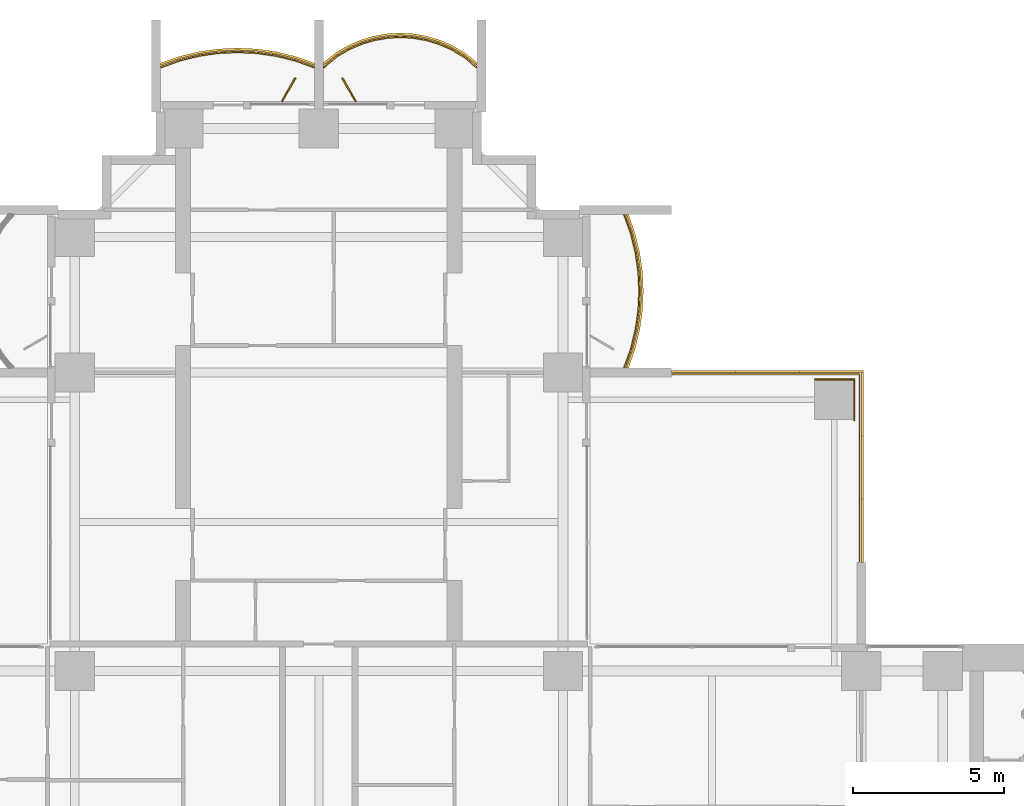
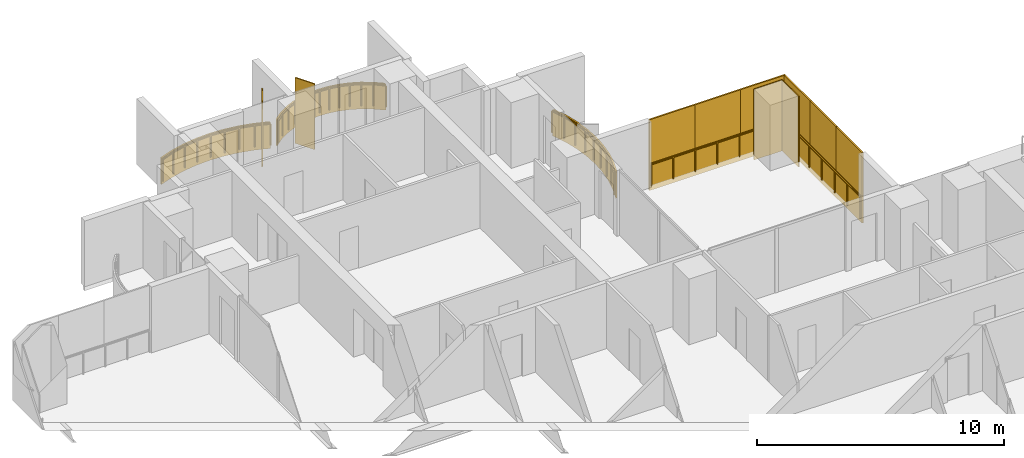
# One storey, part 20 of 20: 12 coverings, 4 railings, 2 shading devices.
"""IFC4 building model written with IfcOpenShell, lengths in metres."""

from ifc_helpers import new_model, si_unit, direction, frame, origin, origin_2d, place, context, subcontext, project, spatial, polyline, rectangle, outline, extrude, material, layer, layer_set, type_object, element, save


model = new_model("IFC4")

# Units and contexts
model_context = context("Model", 3, precision=1e-05, world=origin(), true_north=direction((0.0, 1.0)))
body_context = subcontext(model_context, "Body", "Model", "MODEL_VIEW")
ifc_project = project(units=[si_unit("LENGTHUNIT", "METRE"), si_unit("AREAUNIT", "SQUARE_METRE"), si_unit("VOLUMEUNIT", "CUBIC_METRE"), si_unit("PLANEANGLEUNIT", "RADIAN"), si_unit("MASSUNIT", "GRAM", prefix="KILO")], contexts=[model_context])

# Site, building, storey
site_placement = place(None, origin())
site = spatial("IfcSite", under=ifc_project, at=site_placement, CompositionType="ELEMENT")
building_placement = place(site_placement, origin())
building = spatial("IfcBuilding", under=site, at=building_placement, Name="Perihelion Cross Residences", CompositionType="ELEMENT")
storey_placement = place(building_placement, frame((0.0, 0.0, 68.0)))
storey = spatial("IfcBuildingStorey", under=building, at=storey_placement, Name="L14", CompositionType="ELEMENT", Elevation=68.0)

# Coverings
ifc_material_1 = material(Name="Bronze anodised aluminium", Category="aluminium")
ifc_layer_1 = layer(ifc_material_1, 0.070068359375)
ifc_layer_set_1 = layer_set([ifc_layer_1], Name="Balcony fascia 1300")
covering_type_1 = type_object("IfcCoveringType", Name="Balcony fascia 1300", PredefinedType="CLADDING", material=ifc_layer_set_1)
covering_1_placement = place(storey_placement, frame((0.0, 0.0, -0.199951171875)))
element("IfcCovering", 1, at=covering_1_placement, inside=storey, type_object=covering_type_1, Name="Fascia BF1 L14 north side east bay 2", PredefinedType="CLADDING", context=body_context, shape_type="SweptSolid", body=[
    extrude(outline(polyline([(10.49072265625, 18.767578125), (10.647216796875, 19.411865234375), (10.739501953125, 20.055908203125), (10.77001953125, 20.699951171875), (10.739501953125, 21.34423828125), (10.647216796875, 21.98828125), (10.49072265625, 22.63232421875), (10.274169921875, 23.25), (10.199951171875, 23.25), (10.423583984375, 22.612548828125), (10.57861328125, 21.97509765625), (10.669921875, 21.33740234375), (10.699951171875, 20.699951171875), (10.669921875, 20.0625), (10.57861328125, 19.425048828125), (10.423583984375, 18.78759765625), (10.199951171875, 18.14990234375), (10.274169921875, 18.14990234375), (10.49072265625, 18.767578125)])), origin(), (0.0, 0.0, 1.0), 1.300048828125),
])
covering_2_placement = place(storey_placement, frame((0.0, 0.0, -0.199951171875)))
element("IfcCovering", 2, at=covering_2_placement, inside=storey, type_object=covering_type_1, Name="Fascia BF1 L14 north tip north bay 1", PredefinedType="CLADDING", context=body_context, shape_type="SweptSolid", body=[
    extrude(outline(polyline([(4.86474609375, 28.59765625), (4.431884765625, 28.85498046875), (3.998779296875, 29.04248046875), (3.56591796875, 29.170654296875), (3.133056640625, 29.245361328125), (2.699951171875, 29.27001953125), (2.26708984375, 29.245361328125), (1.833984375, 29.170654296875), (1.401123046875, 29.04248046875), (0.96826171875, 28.85498046875), (0.53515625, 28.59765625), (0.14990234375, 28.28955078125), (0.14990234375, 28.199951171875), (0.574951171875, 28.5400390625), (1.0, 28.792724609375), (1.425048828125, 28.9765625), (1.85009765625, 29.1025390625), (2.27490234375, 29.17578125), (2.699951171875, 29.199951171875), (3.125, 29.17578125), (3.550048828125, 29.1025390625), (3.97509765625, 28.9765625), (4.39990234375, 28.792724609375), (4.824951171875, 28.5400390625), (5.25, 28.199951171875), (5.25, 28.28955078125), (4.86474609375, 28.59765625)])), origin(), (0.0, 0.0, 1.0), 1.300048828125),
])
covering_3_placement = place(storey_placement, frame((0.0, 0.0, -0.199951171875)))
element("IfcCovering", 3, at=covering_3_placement, inside=storey, type_object=covering_type_1, Name="Fascia BF1 L14 north tip north bay 2", PredefinedType="CLADDING", context=body_context, shape_type="SweptSolid", body=[
    extrude(outline(polyline([(-0.767578125, 28.49072265625), (-1.411865234375, 28.647216796875), (-2.055908203125, 28.739501953125), (-2.699951171875, 28.77001953125), (-3.34423828125, 28.739501953125), (-3.98828125, 28.647216796875), (-4.63232421875, 28.49072265625), (-5.25, 28.274169921875), (-5.25, 28.199951171875), (-4.612548828125, 28.423583984375), (-3.97509765625, 28.57861328125), (-3.33740234375, 28.669921875), (-2.699951171875, 28.699951171875), (-2.0625, 28.669921875), (-1.425048828125, 28.57861328125), (-0.78759765625, 28.423583984375), (-0.14990234375, 28.199951171875), (-0.14990234375, 28.274169921875), (-0.767578125, 28.49072265625)])), origin(), (0.0, 0.0, 1.0), 1.300048828125),
])

# Railings
ifc_material_2 = material(Name="Bronze anodised aluminium", Category="aluminium")
railing_type = type_object("IfcRailingType", Name="Balcony guard 1100", PredefinedType="GUARDRAIL", material=ifc_material_2)
railing_1_placement = place(storey_placement, frame((10.139892578125, 18.175048828125, 0.0)))
element("IfcRailing", 4, at=railing_1_placement, inside=storey, type_object=railing_type, Name="Guard GU1 L14 north side east bay 2 balcony", PredefinedType="GUARDRAIL", context=body_context, shape_type="SweptSolid", body=[
    extrude(rectangle(XDim=0.048095703125, YDim=0.048095703125, at=origin_2d()), frame((0.0, 0.0, 1.076171875), z_axis=(0.342945217749, 0.939355405384, 0.0), x_axis=(-0.939355405384, 0.342945217749, 0.0)), (0.0, 0.0, 1.0), 0.652099609375),
    extrude(rectangle(XDim=0.048095703125, YDim=0.048095703125, at=origin_2d()), frame((0.2236328125, 0.612548828125, 1.076171875), z_axis=(0.236313594268, 0.971676841941, 0.0), x_axis=(-0.971676841941, 0.236313594268, 0.0)), (0.0, 0.0, 1.0), 0.656005859375),
    extrude(rectangle(XDim=0.048095703125, YDim=0.048095703125, at=origin_2d()), frame((0.378662109375, 1.25, 1.076171875), z_axis=(0.141792889142, 0.989896346386, 0.0), x_axis=(-0.989896346386, 0.141792889142, 0.0)), (0.0, 0.0, 1.0), 0.64404296875),
    extrude(rectangle(XDim=0.048095703125, YDim=0.048095703125, at=origin_2d()), frame((0.469970703125, 1.887451171875, 1.076171875), z_axis=(0.04705620296, 0.998892243319, 0.0), x_axis=(-0.998892243319, 0.04705620296, 0.0)), (0.0, 0.0, 1.0), 0.63818359375),
    extrude(rectangle(XDim=0.048095703125, YDim=0.048095703125, at=origin_2d()), frame((0.5, 2.52490234375, 1.076171875), z_axis=(-0.04705620296, 0.998892243319, 0.0), x_axis=(-0.998892243319, -0.04705620296, 0.0)), (0.0, 0.0, 1.0), 0.63818359375),
    extrude(rectangle(XDim=0.048095703125, YDim=0.048095703125, at=origin_2d()), frame((0.469970703125, 3.162353515625, 1.076171875), z_axis=(-0.141739694763, 0.989903964498, 0.0), x_axis=(-0.989903964498, -0.141739694763, 0.0)), (0.0, 0.0, 1.0), 0.644287109375),
    extrude(rectangle(XDim=0.048095703125, YDim=0.048095703125, at=origin_2d()), frame((0.378662109375, 3.800048828125, 1.076171875), z_axis=(-0.236313594268, 0.971676841941, 0.0), x_axis=(-0.971676841941, -0.236313594268, 0.0)), (0.0, 0.0, 1.0), 0.656005859375),
    extrude(rectangle(XDim=0.048095703125, YDim=0.048095703125, at=origin_2d()), frame((0.2236328125, 4.4375, 1.076171875), z_axis=(-0.342945217749, 0.939355405384, 0.0), x_axis=(-0.939355405384, -0.342945217749, 0.0)), (0.0, 0.0, 1.0), 0.652099609375),
    extrude(rectangle(XDim=0.0419921875, YDim=0.0419921875, at=origin_2d()), origin(), (0.0, 0.0, 1.0), 1.052001953125),
    extrude(rectangle(XDim=0.0419921875, YDim=0.0419921875, at=origin_2d()), frame((0.2236328125, 0.612548828125, 0.0)), (0.0, 0.0, 1.0), 1.052001953125),
    extrude(rectangle(XDim=0.0419921875, YDim=0.0419921875, at=origin_2d()), frame((0.378662109375, 1.25, 0.0)), (0.0, 0.0, 1.0), 1.052001953125),
    extrude(rectangle(XDim=0.0419921875, YDim=0.0419921875, at=origin_2d()), frame((0.469970703125, 1.887451171875, 0.0)), (0.0, 0.0, 1.0), 1.052001953125),
    extrude(rectangle(XDim=0.0419921875, YDim=0.0419921875, at=origin_2d()), frame((0.5, 2.52490234375, 0.0)), (0.0, 0.0, 1.0), 1.052001953125),
    extrude(rectangle(XDim=0.0419921875, YDim=0.0419921875, at=origin_2d()), frame((0.469970703125, 3.162353515625, 0.0)), (0.0, 0.0, 1.0), 1.052001953125),
    extrude(rectangle(XDim=0.0419921875, YDim=0.0419921875, at=origin_2d()), frame((0.378662109375, 3.800048828125, 0.0)), (0.0, 0.0, 1.0), 1.052001953125),
    extrude(rectangle(XDim=0.0419921875, YDim=0.0419921875, at=origin_2d()), frame((0.2236328125, 4.4375, 0.0)), (0.0, 0.0, 1.0), 1.052001953125),
    extrude(rectangle(XDim=0.0419921875, YDim=0.0419921875, at=origin_2d()), frame((0.0, 5.050048828125, 0.0)), (0.0, 0.0, 1.0), 1.052001953125),
])
railing_2_placement = place(storey_placement, frame((5.22509765625, 28.139892578125, 0.0)))
element("IfcRailing", 5, at=railing_2_placement, inside=storey, type_object=railing_type, Name="Guard GU1 L14 north tip north bay 1 balcony", PredefinedType="GUARDRAIL", context=body_context, shape_type="SweptSolid", body=[
    extrude(rectangle(XDim=0.048095703125, YDim=0.048095703125, at=origin_2d()), frame((0.0, 0.0, 1.076171875), z_axis=(-0.761973728849, 0.647607934281, 0.0), x_axis=(-0.647607934281, -0.761973728849, 0.0)), (0.0, 0.0, 1.0), 0.525146484375),
    extrude(rectangle(XDim=0.048095703125, YDim=0.048095703125, at=origin_2d()), frame((-0.400146484375, 0.340087890625, 1.076171875), z_axis=(-0.859576918062, 0.511006381501, 0.0), x_axis=(-0.511006381501, -0.859576918062, 0.0)), (0.0, 0.0, 1.0), 0.494384765625),
    extrude(rectangle(XDim=0.048095703125, YDim=0.048095703125, at=origin_2d()), frame((-0.8251953125, 0.5927734375, 1.076171875), z_axis=(-0.91755562531, 0.397607437634, 0.0), x_axis=(-0.397607437634, -0.91755562531, 0.0)), (0.0, 0.0, 1.0), 0.462890625),
    extrude(rectangle(XDim=0.048095703125, YDim=0.048095703125, at=origin_2d()), frame((-1.25, 0.77685546875, 1.076171875), z_axis=(-0.958925815697, 0.283656975924, 0.0), x_axis=(-0.283656975924, -0.958925815697, 0.0)), (0.0, 0.0, 1.0), 0.443359375),
    extrude(rectangle(XDim=0.048095703125, YDim=0.048095703125, at=origin_2d()), frame((-1.675048828125, 0.902587890625, 1.076171875), z_axis=(-0.985381583142, 0.17036177859, 0.0), x_axis=(-0.17036177859, -0.985381583142, 0.0)), (0.0, 0.0, 1.0), 0.431396484375),
    extrude(rectangle(XDim=0.048095703125, YDim=0.048095703125, at=origin_2d()), frame((-2.10009765625, 0.97607421875, 1.076171875), z_axis=(-0.9984195016, 0.056200523353, 0.0), x_axis=(-0.056200523353, -0.9984195016, 0.0)), (0.0, 0.0, 1.0), 0.42578125),
    extrude(rectangle(XDim=0.048095703125, YDim=0.048095703125, at=origin_2d()), frame((-2.525146484375, 1.0, 1.076171875), z_axis=(-0.9984195016, -0.056200523353, 0.0), x_axis=(0.056200523353, -0.9984195016, 0.0)), (0.0, 0.0, 1.0), 0.42578125),
    extrude(rectangle(XDim=0.048095703125, YDim=0.048095703125, at=origin_2d()), frame((-2.9501953125, 0.97607421875, 1.076171875), z_axis=(-0.985365142702, -0.170456843651, 0.0), x_axis=(0.170456843651, -0.985365142702, 0.0)), (0.0, 0.0, 1.0), 0.43115234375),
    extrude(rectangle(XDim=0.048095703125, YDim=0.048095703125, at=origin_2d()), frame((-3.375, 0.902587890625, 1.076171875), z_axis=(-0.958925815697, -0.283656975924, 0.0), x_axis=(0.283656975924, -0.958925815697, 0.0)), (0.0, 0.0, 1.0), 0.443359375),
    extrude(rectangle(XDim=0.048095703125, YDim=0.048095703125, at=origin_2d()), frame((-3.800048828125, 0.77685546875, 1.076171875), z_axis=(-0.917638931453, -0.397415137459, 0.0), x_axis=(0.397415137459, -0.917638931453, 0.0)), (0.0, 0.0, 1.0), 0.463134765625),
    extrude(rectangle(XDim=0.048095703125, YDim=0.048095703125, at=origin_2d()), frame((-4.22509765625, 0.5927734375, 1.076171875), z_axis=(-0.859576918062, -0.511006381501, 0.0), x_axis=(0.511006381501, -0.859576918062, 0.0)), (0.0, 0.0, 1.0), 0.494384765625),
    extrude(rectangle(XDim=0.048095703125, YDim=0.048095703125, at=origin_2d()), frame((-4.650146484375, 0.340087890625, 1.076171875), z_axis=(-0.761778647315, -0.647837396648, 0.0), x_axis=(0.647837396648, -0.761778647315, 0.0)), (0.0, 0.0, 1.0), 0.52490234375),
    extrude(rectangle(XDim=0.0419921875, YDim=0.0419921875, at=origin_2d()), origin(), (0.0, 0.0, 1.0), 1.052001953125),
    extrude(rectangle(XDim=0.0419921875, YDim=0.0419921875, at=origin_2d()), frame((-0.400146484375, 0.340087890625, 0.0)), (0.0, 0.0, 1.0), 1.052001953125),
    extrude(rectangle(XDim=0.0419921875, YDim=0.0419921875, at=origin_2d()), frame((-0.8251953125, 0.5927734375, 0.0)), (0.0, 0.0, 1.0), 1.052001953125),
    extrude(rectangle(XDim=0.0419921875, YDim=0.0419921875, at=origin_2d()), frame((-1.25, 0.77685546875, 0.0)), (0.0, 0.0, 1.0), 1.052001953125),
    extrude(rectangle(XDim=0.0419921875, YDim=0.0419921875, at=origin_2d()), frame((-1.675048828125, 0.902587890625, 0.0)), (0.0, 0.0, 1.0), 1.052001953125),
    extrude(rectangle(XDim=0.0419921875, YDim=0.0419921875, at=origin_2d()), frame((-2.10009765625, 0.97607421875, 0.0)), (0.0, 0.0, 1.0), 1.052001953125),
    extrude(rectangle(XDim=0.0419921875, YDim=0.0419921875, at=origin_2d()), frame((-2.525146484375, 1.0, 0.0)), (0.0, 0.0, 1.0), 1.052001953125),
    extrude(rectangle(XDim=0.0419921875, YDim=0.0419921875, at=origin_2d()), frame((-2.9501953125, 0.97607421875, 0.0)), (0.0, 0.0, 1.0), 1.052001953125),
    extrude(rectangle(XDim=0.0419921875, YDim=0.0419921875, at=origin_2d()), frame((-3.375, 0.902587890625, 0.0)), (0.0, 0.0, 1.0), 1.052001953125),
    extrude(rectangle(XDim=0.0419921875, YDim=0.0419921875, at=origin_2d()), frame((-3.800048828125, 0.77685546875, 0.0)), (0.0, 0.0, 1.0), 1.052001953125),
    extrude(rectangle(XDim=0.0419921875, YDim=0.0419921875, at=origin_2d()), frame((-4.22509765625, 0.5927734375, 0.0)), (0.0, 0.0, 1.0), 1.052001953125),
    extrude(rectangle(XDim=0.0419921875, YDim=0.0419921875, at=origin_2d()), frame((-4.650146484375, 0.340087890625, 0.0)), (0.0, 0.0, 1.0), 1.052001953125),
    extrude(rectangle(XDim=0.0419921875, YDim=0.0419921875, at=origin_2d()), frame((-5.050048828125, 0.0, 0.0)), (0.0, 0.0, 1.0), 1.052001953125),
])
railing_3_placement = place(storey_placement, frame((-0.175048828125, 28.139892578125, 0.0)))
element("IfcRailing", 6, at=railing_3_placement, inside=storey, type_object=railing_type, Name="Guard GU1 L14 north tip north bay 2 balcony", PredefinedType="GUARDRAIL", context=body_context, shape_type="SweptSolid", body=[
    extrude(rectangle(XDim=0.048095703125, YDim=0.048095703125, at=origin_2d()), frame((0.0, 0.0, 1.076171875), z_axis=(-0.939355405384, 0.342945217749, 0.0), x_axis=(-0.342945217749, -0.939355405384, 0.0)), (0.0, 0.0, 1.0), 0.652099609375),
    extrude(rectangle(XDim=0.048095703125, YDim=0.048095703125, at=origin_2d()), frame((-0.612548828125, 0.2236328125, 1.076171875), z_axis=(-0.971676841941, 0.236313594268, 0.0), x_axis=(-0.236313594268, -0.971676841941, 0.0)), (0.0, 0.0, 1.0), 0.656005859375),
    extrude(rectangle(XDim=0.048095703125, YDim=0.048095703125, at=origin_2d()), frame((-1.25, 0.378662109375, 1.076171875), z_axis=(-0.989896346386, 0.141792889142, 0.0), x_axis=(-0.141792889142, -0.989896346386, 0.0)), (0.0, 0.0, 1.0), 0.64404296875),
    extrude(rectangle(XDim=0.048095703125, YDim=0.048095703125, at=origin_2d()), frame((-1.887451171875, 0.469970703125, 1.076171875), z_axis=(-0.998892243319, 0.04705620296, 0.0), x_axis=(-0.04705620296, -0.998892243319, 0.0)), (0.0, 0.0, 1.0), 0.63818359375),
    extrude(rectangle(XDim=0.048095703125, YDim=0.048095703125, at=origin_2d()), frame((-2.52490234375, 0.5, 1.076171875), z_axis=(-0.998892243319, -0.04705620296, 0.0), x_axis=(0.04705620296, -0.998892243319, 0.0)), (0.0, 0.0, 1.0), 0.63818359375),
    extrude(rectangle(XDim=0.048095703125, YDim=0.048095703125, at=origin_2d()), frame((-3.162353515625, 0.469970703125, 1.076171875), z_axis=(-0.989903964498, -0.141739694763, 0.0), x_axis=(0.141739694763, -0.989903964498, 0.0)), (0.0, 0.0, 1.0), 0.644287109375),
    extrude(rectangle(XDim=0.048095703125, YDim=0.048095703125, at=origin_2d()), frame((-3.800048828125, 0.378662109375, 1.076171875), z_axis=(-0.971676841941, -0.236313594268, 0.0), x_axis=(0.236313594268, -0.971676841941, 0.0)), (0.0, 0.0, 1.0), 0.656005859375),
    extrude(rectangle(XDim=0.048095703125, YDim=0.048095703125, at=origin_2d()), frame((-4.4375, 0.2236328125, 1.076171875), z_axis=(-0.939355405384, -0.342945217749, 0.0), x_axis=(0.342945217749, -0.939355405384, 0.0)), (0.0, 0.0, 1.0), 0.652099609375),
    extrude(rectangle(XDim=0.0419921875, YDim=0.0419921875, at=origin_2d()), origin(), (0.0, 0.0, 1.0), 1.052001953125),
    extrude(rectangle(XDim=0.0419921875, YDim=0.0419921875, at=origin_2d()), frame((-0.612548828125, 0.2236328125, 0.0)), (0.0, 0.0, 1.0), 1.052001953125),
    extrude(rectangle(XDim=0.0419921875, YDim=0.0419921875, at=origin_2d()), frame((-1.25, 0.378662109375, 0.0)), (0.0, 0.0, 1.0), 1.052001953125),
    extrude(rectangle(XDim=0.0419921875, YDim=0.0419921875, at=origin_2d()), frame((-1.887451171875, 0.469970703125, 0.0)), (0.0, 0.0, 1.0), 1.052001953125),
    extrude(rectangle(XDim=0.0419921875, YDim=0.0419921875, at=origin_2d()), frame((-2.52490234375, 0.5, 0.0)), (0.0, 0.0, 1.0), 1.052001953125),
    extrude(rectangle(XDim=0.0419921875, YDim=0.0419921875, at=origin_2d()), frame((-3.162353515625, 0.469970703125, 0.0)), (0.0, 0.0, 1.0), 1.052001953125),
    extrude(rectangle(XDim=0.0419921875, YDim=0.0419921875, at=origin_2d()), frame((-3.800048828125, 0.378662109375, 0.0)), (0.0, 0.0, 1.0), 1.052001953125),
    extrude(rectangle(XDim=0.0419921875, YDim=0.0419921875, at=origin_2d()), frame((-4.4375, 0.2236328125, 0.0)), (0.0, 0.0, 1.0), 1.052001953125),
    extrude(rectangle(XDim=0.0419921875, YDim=0.0419921875, at=origin_2d()), frame((-5.050048828125, 0.0, 0.0)), (0.0, 0.0, 1.0), 1.052001953125),
])
railing_4_placement = place(storey_placement, frame((11.739990234375, 17.93994140625, 0.0)))
element("IfcRailing", 7, at=railing_4_placement, inside=storey, type_object=railing_type, Name="Guard GU1 L14 pocket north-east 1", PredefinedType="GUARDRAIL", context=body_context, shape_type="SweptSolid", body=[
    extrude(rectangle(XDim=0.048095703125, YDim=0.048095703125, at=origin_2d()), frame((0.0, 0.0, 1.076171875), z_axis=(1.0, 0.0, 0.0), x_axis=(0.0, 1.0, 0.0)), (0.0, 0.0, 1.0), 6.199951171875),
    extrude(rectangle(XDim=0.048095703125, YDim=0.048095703125, at=origin_2d()), frame((6.199951171875, 0.0, 1.076171875), z_axis=(0.0, -1.0, 0.0), x_axis=(1.0, 0.0, 0.0)), (0.0, 0.0, 1.0), 6.199951171875),
    extrude(rectangle(XDim=0.0419921875, YDim=0.0419921875, at=origin_2d()), origin(), (0.0, 0.0, 1.0), 1.052001953125),
    extrude(rectangle(XDim=0.0419921875, YDim=0.0419921875, at=origin_2d()), frame((1.033203125, 0.0, 0.0)), (0.0, 0.0, 1.0), 1.052001953125),
    extrude(rectangle(XDim=0.0419921875, YDim=0.0419921875, at=origin_2d()), frame((2.066650390625, 0.0, 0.0)), (0.0, 0.0, 1.0), 1.052001953125),
    extrude(rectangle(XDim=0.0419921875, YDim=0.0419921875, at=origin_2d()), frame((3.10009765625, 0.0, 0.0)), (0.0, 0.0, 1.0), 1.052001953125),
    extrude(rectangle(XDim=0.0419921875, YDim=0.0419921875, at=origin_2d()), frame((4.13330078125, 0.0, 0.0)), (0.0, 0.0, 1.0), 1.052001953125),
    extrude(rectangle(XDim=0.0419921875, YDim=0.0419921875, at=origin_2d()), frame((5.16650390625, 0.0, 0.0)), (0.0, 0.0, 1.0), 1.052001953125),
    extrude(rectangle(XDim=0.0419921875, YDim=0.0419921875, at=origin_2d()), frame((6.199951171875, 0.0, 0.0)), (0.0, 0.0, 1.0), 1.052001953125),
    extrude(rectangle(XDim=0.0419921875, YDim=0.0419921875, at=origin_2d()), frame((6.199951171875, -1.033203125, 0.0)), (0.0, 0.0, 1.0), 1.052001953125),
    extrude(rectangle(XDim=0.0419921875, YDim=0.0419921875, at=origin_2d()), frame((6.199951171875, -2.066650390625, 0.0)), (0.0, 0.0, 1.0), 1.052001953125),
    extrude(rectangle(XDim=0.0419921875, YDim=0.0419921875, at=origin_2d()), frame((6.199951171875, -3.10009765625, 0.0)), (0.0, 0.0, 1.0), 1.052001953125),
    extrude(rectangle(XDim=0.0419921875, YDim=0.0419921875, at=origin_2d()), frame((6.199951171875, -4.13330078125, 0.0)), (0.0, 0.0, 1.0), 1.052001953125),
    extrude(rectangle(XDim=0.0419921875, YDim=0.0419921875, at=origin_2d()), frame((6.199951171875, -5.16650390625, 0.0)), (0.0, 0.0, 1.0), 1.052001953125),
    extrude(rectangle(XDim=0.0419921875, YDim=0.0419921875, at=origin_2d()), frame((6.199951171875, -6.199951171875, 0.0)), (0.0, 0.0, 1.0), 1.052001953125),
])

# Coverings
ifc_material_3 = material(Name="Bronze anodised aluminium", Category="aluminium")
ifc_layer_2 = layer(ifc_material_3, 0.0400390625)
ifc_layer_set_2 = layer_set([ifc_layer_2], Name="Bronze column casing 40")
covering_type_2 = type_object("IfcCoveringType", Name="Bronze column casing 40", PredefinedType="CLADDING", material=ifc_layer_set_2)
covering_4_placement = place(storey_placement, frame((17.77001953125, 17.10009765625, -0.25), z_axis=(0.0, 0.0, 1.0), x_axis=(1.0, 0.0, 0.0)))
element("IfcCovering", 8, at=covering_4_placement, inside=storey, type_object=covering_type_2, Name="Cladding CC1 L14 casing east-west no. 4", PredefinedType="CLADDING", context=body_context, shape_type="SweptSolid", body=[
    extrude(rectangle(XDim=0.0400390625, YDim=1.3798828125, at=origin_2d()), origin(), (0.0, 0.0, 1.0), 3.5),
])
covering_5_placement = place(storey_placement, frame((17.10009765625, 17.77001953125, -0.25), z_axis=(0.0, 0.0, 1.0), x_axis=(1.0, 0.0, 0.0)))
element("IfcCovering", 9, at=covering_5_placement, inside=storey, type_object=covering_type_2, Name="Cladding CC1 L14 casing north-south no. 4", PredefinedType="CLADDING", context=body_context, shape_type="SweptSolid", body=[
    extrude(rectangle(XDim=1.300048828125, YDim=0.0400390625, at=origin_2d()), origin(), (0.0, 0.0, 1.0), 3.5),
])

# Shading devices
ifc_material_4 = material(Name="Bronze anodised aluminium", Category="aluminium")
ifc_layer_3 = layer(ifc_material_4, 0.050048828125)
ifc_layer_set_3 = layer_set([ifc_layer_3], Name="Bronze fin 900")
shading_device_type = type_object("IfcShadingDeviceType", Name="Bronze fin 900", PredefinedType="USERDEFINED", material=ifc_layer_set_3)
for number, where, z_axis, x_axis, name in (
    (10, (1.0, 27.3896484375, 0.0), (0.0, 0.0, 1.0), (-0.5, 0.866025403784, 0.0), "Fin FN1 L14 north tip north bay 1"),
    (11, (-1.0, 27.3896484375, 0.0), (0.0, 0.0, 1.0), (0.5, 0.866025403784, 0.0), "Fin FN1 L14 north tip north bay 2"),
):
    element("IfcShadingDevice", number, at=place(storey_placement, frame(where, z_axis=z_axis, x_axis=x_axis)), inside=storey, type_object=shading_device_type, Name=name, ObjectType="FIN", PredefinedType="USERDEFINED", context=body_context, shape_type="SweptSolid", body=[
        extrude(rectangle(XDim=0.89990234375, YDim=0.050048828125, at=origin_2d()), origin(), (0.0, 0.0, 1.0), 3.25),
    ])

# Coverings
ifc_material_5 = material(Name="Bronze anodised aluminium", Category="aluminium")
ifc_layer_4 = layer(ifc_material_5, 0.070068359375)
ifc_layer_set_4 = layer_set([ifc_layer_4], Name="Pocket fascia 1350")
covering_type_3 = type_object("IfcCoveringType", Name="Pocket fascia 1350", PredefinedType="CLADDING", material=ifc_layer_set_4)
covering_6_placement = place(storey_placement, frame((0.0, 0.0, -0.25)))
element("IfcCovering", 12, at=covering_6_placement, inside=storey, type_object=covering_type_3, Name="Fascia BF2 L14 pocket north-east 3", PredefinedType="CLADDING", context=body_context, shape_type="SweptSolid", body=[
    extrude(outline(polyline([(18.070068359375, 18.070068359375), (11.699951171875, 18.070068359375), (11.699951171875, 18.0), (18.0, 18.0), (18.0, 11.699951171875), (18.070068359375, 11.699951171875), (18.070068359375, 18.070068359375)])), origin(), (0.0, 0.0, 1.0), 1.35009765625),
])
ifc_material_6 = material(Name="Bronze perforated aluminium", Category="aluminium")
ifc_layer_5 = layer(ifc_material_6, 0.070068359375)
ifc_layer_set_5 = layer_set([ifc_layer_5], Name="Pocket solar screen, bronze perforated")
covering_type_4 = type_object("IfcCoveringType", Name="Pocket solar screen, bronze perforated", PredefinedType="CLADDING", material=ifc_layer_set_5)
covering_7_placement = place(storey_placement, frame((0.0, 0.0, 1.10009765625)))
element("IfcCovering", 13, at=covering_7_placement, inside=storey, type_object=covering_type_4, Name="Solar screen PS1 L14 pocket north-east no. 1", PredefinedType="CLADDING", context=body_context, shape_type="SweptSolid", body=[
    extrude(outline(polyline([(18.070068359375, 11.699951171875), (18.070068359375, 13.800048828125), (18.0, 13.800048828125), (18.0, 11.699951171875), (18.070068359375, 11.699951171875)])), origin(), (0.0, 0.0, 1.0), 2.14990234375),
])
covering_8_placement = place(storey_placement, frame((0.0, 0.0, 1.10009765625)))
element("IfcCovering", 14, at=covering_8_placement, inside=storey, type_object=covering_type_4, Name="Solar screen PS1 L14 pocket north-east no. 2", PredefinedType="CLADDING", context=body_context, shape_type="SweptSolid", body=[
    extrude(outline(polyline([(18.070068359375, 13.800048828125), (18.070068359375, 15.89990234375), (18.0, 15.89990234375), (18.0, 13.800048828125), (18.070068359375, 13.800048828125)])), origin(), (0.0, 0.0, 1.0), 2.14990234375),
])
covering_9_placement = place(storey_placement, frame((0.0, 0.0, 1.10009765625)))
element("IfcCovering", 15, at=covering_9_placement, inside=storey, type_object=covering_type_4, Name="Solar screen PS1 L14 pocket north-east no. 3", PredefinedType="CLADDING", context=body_context, shape_type="SweptSolid", body=[
    extrude(outline(polyline([(18.070068359375, 15.89990234375), (18.070068359375, 18.0), (18.0, 18.0), (18.0, 15.89990234375), (18.070068359375, 15.89990234375)])), origin(), (0.0, 0.0, 1.0), 2.14990234375),
])
covering_10_placement = place(storey_placement, frame((0.0, 0.0, 1.10009765625)))
element("IfcCovering", 16, at=covering_10_placement, inside=storey, type_object=covering_type_4, Name="Solar screen PS1 L14 pocket north-east no. 4", PredefinedType="CLADDING", context=body_context, shape_type="SweptSolid", body=[
    extrude(outline(polyline([(13.8232421875, 18.0), (13.8232421875, 18.070068359375), (11.699951171875, 18.070068359375), (11.699951171875, 18.0), (13.8232421875, 18.0)])), origin(), (0.0, 0.0, 1.0), 2.14990234375),
])
covering_11_placement = place(storey_placement, frame((0.0, 0.0, 1.10009765625)))
element("IfcCovering", 17, at=covering_11_placement, inside=storey, type_object=covering_type_4, Name="Solar screen PS1 L14 pocket north-east no. 5", PredefinedType="CLADDING", context=body_context, shape_type="SweptSolid", body=[
    extrude(outline(polyline([(15.94677734375, 18.0), (15.94677734375, 18.070068359375), (13.8232421875, 18.070068359375), (13.8232421875, 18.0), (15.94677734375, 18.0)])), origin(), (0.0, 0.0, 1.0), 2.14990234375),
])
covering_12_placement = place(storey_placement, frame((0.0, 0.0, 1.10009765625)))
element("IfcCovering", 18, at=covering_12_placement, inside=storey, type_object=covering_type_4, Name="Solar screen PS1 L14 pocket north-east no. 6", PredefinedType="CLADDING", context=body_context, shape_type="SweptSolid", body=[
    extrude(outline(polyline([(18.070068359375, 18.0), (18.070068359375, 18.070068359375), (15.94677734375, 18.070068359375), (15.94677734375, 18.0), (18.070068359375, 18.0)])), origin(), (0.0, 0.0, 1.0), 2.14990234375),
])

save(model, "model.ifc")
